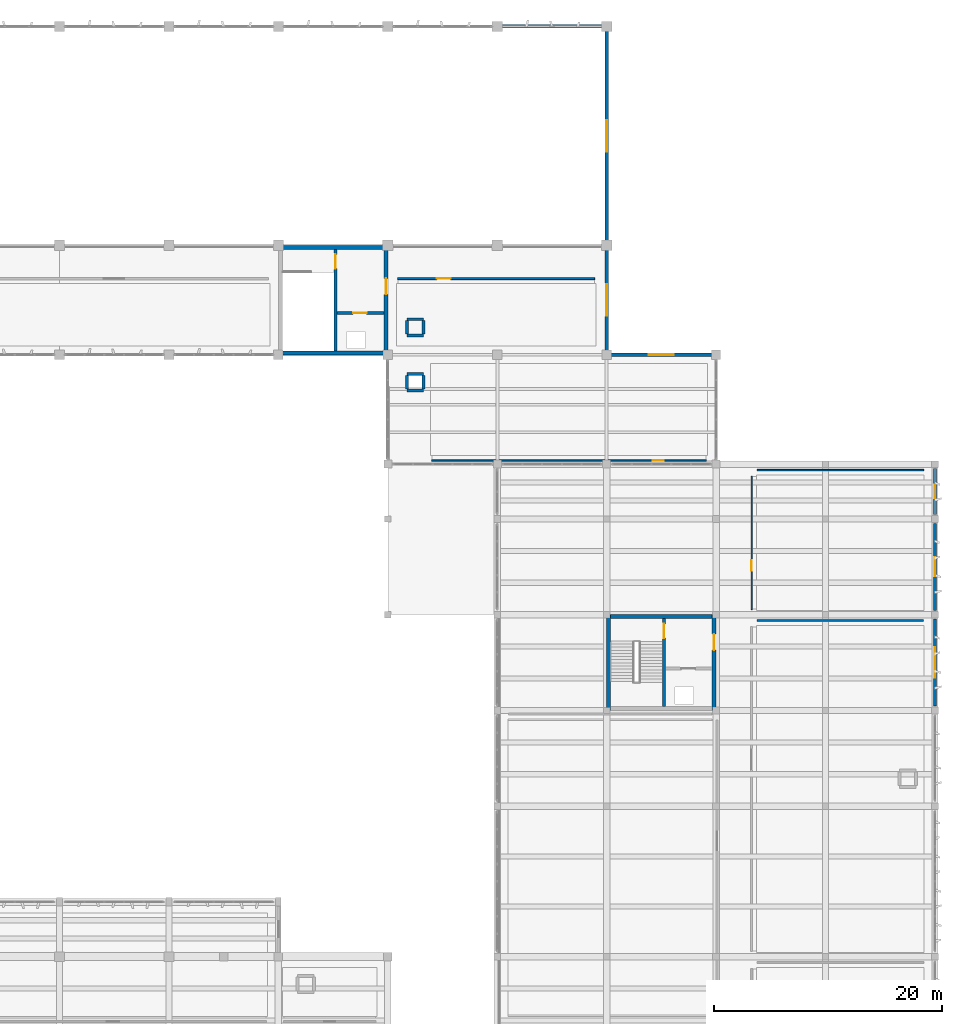
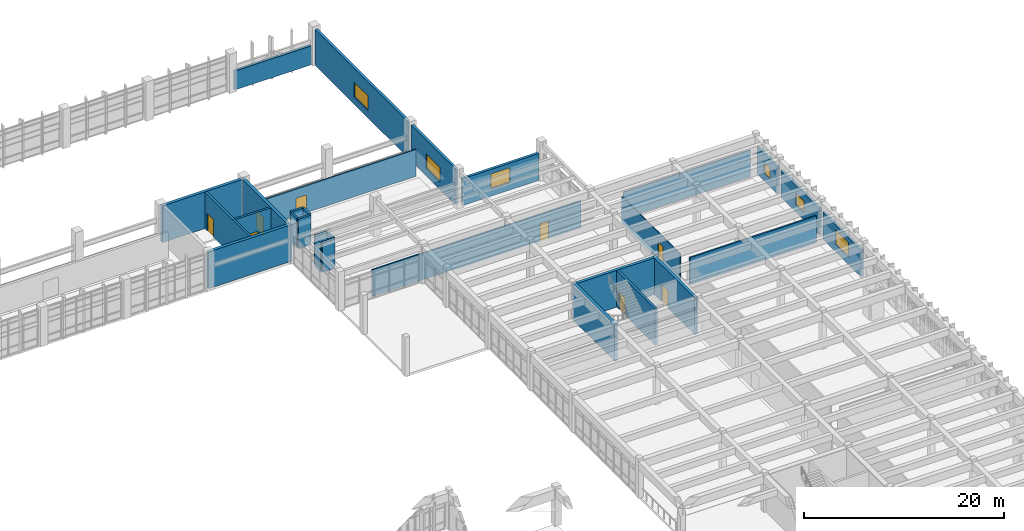
# One storey, part 71 of 86: 29 walls, 8 doors, 6 windows, 14 openings.
"""IFC4 building model written with IfcOpenShell, lengths in metres."""

from ifc_helpers import new_model, si_unit, direction, frame, frame_2d, origin, place, context, subcontext, project, spatial, rectangle, extrude, material, layer, layer_set, type_object, element, fill, save


model = new_model("IFC4")

# Units and contexts
model_context = context("Model", 3, precision=1e-05, world=origin(), true_north=direction((0.0, 1.0)))
body_context = subcontext(model_context, "Body", "Model", "MODEL_VIEW")
ifc_project = project(units=[si_unit("LENGTHUNIT", "METRE"), si_unit("AREAUNIT", "SQUARE_METRE"), si_unit("VOLUMEUNIT", "CUBIC_METRE"), si_unit("PLANEANGLEUNIT", "RADIAN"), si_unit("MASSUNIT", "GRAM", prefix="KILO")], contexts=[model_context])

# Site, building, storey
site_placement = place(None, origin())
site = spatial("IfcSite", under=ifc_project, at=site_placement, CompositionType="ELEMENT")
building_placement = place(site_placement, origin())
building = spatial("IfcBuilding", under=site, at=building_placement, Name="Kolvemor Railside Polytechnic", CompositionType="ELEMENT")
storey_placement = place(building_placement, frame((0.0, 0.0, 5.39990234375)))
storey = spatial("IfcBuildingStorey", under=building, at=storey_placement, Name="L01", CompositionType="ELEMENT", Elevation=5.39990234375)

# Walls
ifc_material_1 = material(Name="Concrete C40/50", Category="concrete")
ifc_layer_1 = layer(ifc_material_1, 0.35009765625, Name="WL-CORE-350")
ifc_layer_set_1 = layer_set([ifc_layer_1], Name="Concrete C40/50")
wall_type_1 = type_object("IfcWallType", Name="WL-CORE-350", PredefinedType="SHEAR", material=ifc_layer_set_1)
wall_1_placement = place(storey_placement, frame((153.60009765625, 68.22509765625, 0.0), z_axis=(0.0, 0.0, 1.0), x_axis=(1.0, 0.0, 0.0)))
element("IfcWall", 1, at=wall_1_placement, inside=storey, type_object=wall_type_1, Name="CORE-7 North Core Wall L01", PredefinedType="SHEAR", context=body_context, shape_type="SweptSolid", body=[
    extrude(rectangle(XDim=9.599853515625, YDim=0.35009765625, at=frame_2d((4.7998046875, 0.0))), origin(), (0.0, 0.0, 1.0), 4.47998046875),
])
wall_2_placement = place(storey_placement, frame((153.77490234375, 60.0, 0.0), z_axis=(0.0, 0.0, 1.0), x_axis=(0.0, 1.0, 0.0)))
element("IfcWall", 2, at=wall_2_placement, inside=storey, type_object=wall_type_1, Name="CORE-7 West Core Wall L01", PredefinedType="SHEAR", context=body_context, shape_type="SweptSolid", body=[
    extrude(rectangle(XDim=8.39990234375, YDim=0.35009765625, at=frame_2d((4.199951171875, 0.0))), origin(), (0.0, 0.0, 1.0), 4.47998046875),
])

# Wall, opening, door
wall_3_placement = place(storey_placement, frame((163.02490234375, 60.0, 0.0), z_axis=(0.0, 0.0, 1.0), x_axis=(0.0, 1.0, 0.0)))
wall_3 = element("IfcWall", 3, at=wall_3_placement, inside=storey, type_object=wall_type_1, Name="CORE-7 East Core Wall L01", PredefinedType="SHEAR", context=body_context, shape_type="SweptSolid", body=[
    extrude(rectangle(XDim=8.39990234375, YDim=0.35009765625, at=frame_2d((4.199951171875, 0.0))), origin(), (0.0, 0.0, 1.0), 4.47998046875),
])
opening_1_placement = place(wall_3_placement, frame((5.300048828125, 0.0, 0.0)))
opening_1 = element("IfcOpeningElement", 4, at=opening_1_placement, cuts=wall_3, Name="Opening D-LOB-7-L01", PredefinedType="OPENING", context=body_context, shape_type="SweptSolid", body=[
    extrude(rectangle(XDim=1.39990234375, YDim=2.14990234375, at=frame_2d((0.699951171875, 1.074951171875))), frame((0.0, 0.18505859375, 0.0), z_axis=(0.0, -1.0, 0.0), x_axis=(1.0, 0.0, 0.0)), (0.0, 0.0, 1.0), 0.3701171875),
])
ifc_material_2 = material(Name="Fire-rated hardwood and brushed stainless-steel door", Category="steel")
door_type_1 = type_object("IfcDoorType", Name="DR-FD60-140x215", OperationType="NOTDEFINED", PredefinedType="DOOR", material=ifc_material_2)
door_1_placement = place(opening_1_placement, origin())
door_1 = element("IfcDoor", 5, at=door_1_placement, inside=storey, type_object=door_type_1, Name="Core Lobby Fire Door CORE-7 L01", OperationType="SINGLE_SWING_LEFT", OverallHeight=2.14990234375, OverallWidth=1.39990234375, PredefinedType="DOOR", context=body_context, shape_type="SweptSolid", body=[
    extrude(rectangle(XDim=1.39990234375, YDim=2.14990234375, at=frame_2d((0.699951171875, 1.074951171875))), frame((0.0, 0.02490234375, 0.0), z_axis=(0.0, -1.0, 0.0), x_axis=(1.0, 0.0, 0.0)), (0.0, 0.0, 1.0), 0.050048828125),
])
fill(opening_1, door_1)

# Walls
for number, where, z_axis, x_axis, name in (
    (6, (124.800048828125, 100.625, 0.0), (0.0, 0.0, 1.0), (1.0, 0.0, 0.0), "CORE-9 North Core Wall L01"),
    (7, (124.800048828125, 91.375, 0.0), (0.0, 0.0, 1.0), (1.0, 0.0, 0.0), "CORE-9 South Core Wall L01"),
):
    element("IfcWall", number, at=place(storey_placement, frame(where, z_axis=z_axis, x_axis=x_axis)), inside=storey, type_object=wall_type_1, Name=name, PredefinedType="SHEAR", context=body_context, shape_type="SweptSolid", body=[
        extrude(rectangle(XDim=9.599853515625, YDim=0.35009765625, at=frame_2d((4.7998046875, 0.0))), origin(), (0.0, 0.0, 1.0), 4.47998046875),
    ])

# Wall, opening, door
wall_4_placement = place(storey_placement, frame((134.22509765625, 91.199951171875, 0.0), z_axis=(0.0, 0.0, 1.0), x_axis=(0.0, 1.0, 0.0)))
wall_4 = element("IfcWall", 8, at=wall_4_placement, inside=storey, type_object=wall_type_1, Name="CORE-9 East Core Wall L01", PredefinedType="SHEAR", context=body_context, shape_type="SweptSolid", body=[
    extrude(rectangle(XDim=9.60009765625, YDim=0.35009765625, at=frame_2d((4.800048828125, 0.0))), origin(), (0.0, 0.0, 1.0), 4.47998046875),
])
opening_2_placement = place(wall_4_placement, frame((5.300048828125, 0.0, 0.0)))
opening_2 = element("IfcOpeningElement", 9, at=opening_2_placement, cuts=wall_4, Name="Opening D-LOB-9-L01", PredefinedType="OPENING", context=body_context, shape_type="SweptSolid", body=[
    extrude(rectangle(XDim=1.39990234375, YDim=2.14990234375, at=frame_2d((0.699951171875, 1.074951171875))), frame((0.0, 0.18505859375, 0.0), z_axis=(0.0, -1.0, 0.0), x_axis=(1.0, 0.0, 0.0)), (0.0, 0.0, 1.0), 0.3701171875),
])
door_2_placement = place(opening_2_placement, origin())
door_2 = element("IfcDoor", 10, at=door_2_placement, inside=storey, type_object=door_type_1, Name="Core Lobby Fire Door CORE-9 L01", OperationType="SINGLE_SWING_LEFT", OverallHeight=2.14990234375, OverallWidth=1.39990234375, PredefinedType="DOOR", context=body_context, shape_type="SweptSolid", body=[
    extrude(rectangle(XDim=1.39990234375, YDim=2.14990234375, at=frame_2d((0.699951171875, 1.074951171875))), frame((0.0, 0.02490234375, 0.0), z_axis=(0.0, -1.0, 0.0), x_axis=(1.0, 0.0, 0.0)), (0.0, 0.0, 1.0), 0.050048828125),
])
fill(opening_2, door_2)

# Wall, opening, window
ifc_material_3 = material(Name="Precast concrete C40/50", Category="concrete")
ifc_layer_2 = layer(ifc_material_3, 0.27001953125, Name="WL-EXT-RC-270")
ifc_layer_set_2 = layer_set([ifc_layer_2], Name="Precast concrete C40/50")
wall_type_2 = type_object("IfcWallType", Name="WL-EXT-RC-270", PredefinedType="SOLIDWALL", material=ifc_layer_set_2)
wall_5_placement = place(storey_placement, frame((182.39990234375, 60.3798828125, 0.0), z_axis=(0.0, 0.0, 1.0), x_axis=(0.0, 1.0, 0.0)))
wall_5 = element("IfcWall", 11, at=wall_5_placement, inside=storey, type_object=wall_type_2, Name="Exterior Wall L01-0072", PredefinedType="SOLIDWALL", context=body_context, shape_type="SweptSolid", body=[
    extrude(rectangle(XDim=7.64013671875, YDim=0.27001953125, at=frame_2d((3.820068359375, 0.0))), origin(), (0.0, 0.0, 1.0), 3.280029296875),
])
opening_3_placement = place(wall_5_placement, frame((2.4951171875, 0.0, 0.89990234375)))
opening_3 = element("IfcOpeningElement", 12, at=opening_3_placement, cuts=wall_5, Name="Opening WN-M14", PredefinedType="OPENING", context=body_context, shape_type="SweptSolid", body=[
    extrude(rectangle(XDim=2.64990234375, YDim=1.75, at=frame_2d((1.324951171875, 0.875))), frame((0.0, 0.14501953125, 0.0), z_axis=(0.0, -1.0, 0.0), x_axis=(1.0, 0.0, 0.0)), (0.0, 0.0, 1.0), 0.2900390625),
])
ifc_material_4 = material(Name="Hurricane-laminated thermally broken aluminium window", Category="aluminium")
window_type_1 = type_object("IfcWindowType", Name="WN-MOD-265x175", PartitioningType="DOUBLE_PANEL_VERTICAL", PredefinedType="WINDOW", material=ifc_material_4)
window_1_placement = place(opening_3_placement, origin())
window_1 = element("IfcWindow", 13, at=window_1_placement, inside=storey, type_object=window_type_1, Name="Window L01-0073", OverallHeight=1.75, OverallWidth=2.64990234375, PartitioningType="SINGLE_PANEL", PredefinedType="WINDOW", context=body_context, shape_type="SweptSolid", body=[
    extrude(rectangle(XDim=2.64990234375, YDim=1.75, at=frame_2d((1.324951171875, 0.875))), frame((0.0, 0.030029296875, 0.0), z_axis=(0.0, -1.0, 0.0), x_axis=(1.0, 0.0, 0.0)), (0.0, 0.0, 1.0), 0.06005859375),
])
fill(opening_3, window_1)

wall_6_placement = place(storey_placement, frame((182.39990234375, 68.780029296875, 0.0), z_axis=(0.0, 0.0, 1.0), x_axis=(0.0, 1.0, 0.0)))
wall_6 = element("IfcWall", 14, at=wall_6_placement, inside=storey, type_object=wall_type_2, Name="Exterior Wall L01-0079", PredefinedType="SOLIDWALL", context=body_context, shape_type="SweptSolid", body=[
    extrude(rectangle(XDim=7.639892578125, YDim=0.27001953125, at=frame_2d((3.81982421875, 0.0))), origin(), (0.0, 0.0, 1.0), 3.280029296875),
])
opening_4_placement = place(wall_6_placement, frame((2.969970703125, 0.0, 0.89990234375)))
opening_4 = element("IfcOpeningElement", 15, at=opening_4_placement, cuts=wall_6, Name="Opening WN-M19", PredefinedType="OPENING", context=body_context, shape_type="SweptSolid", body=[
    extrude(rectangle(XDim=1.699951171875, YDim=1.449951171875, at=frame_2d((0.85009765625, 0.72509765625))), frame((0.0, 0.14501953125, 0.0), z_axis=(0.0, -1.0, 0.0), x_axis=(1.0, 0.0, 0.0)), (0.0, 0.0, 1.0), 0.2900390625),
])
ifc_material_5 = material(Name="Hurricane-laminated thermally broken aluminium window", Category="aluminium")
window_type_2 = type_object("IfcWindowType", Name="WN-MOD-170x145", PartitioningType="SINGLE_PANEL", PredefinedType="WINDOW", material=ifc_material_5)
window_2_placement = place(opening_4_placement, origin())
window_2 = element("IfcWindow", 16, at=window_2_placement, inside=storey, type_object=window_type_2, Name="Window L01-0083", OverallHeight=1.449951171875, OverallWidth=1.699951171875, PartitioningType="SINGLE_PANEL", PredefinedType="WINDOW", context=body_context, shape_type="SweptSolid", body=[
    extrude(rectangle(XDim=1.699951171875, YDim=1.449951171875, at=frame_2d((0.85009765625, 0.72509765625))), frame((0.0, 0.030029296875, 0.0), z_axis=(0.0, -1.0, 0.0), x_axis=(1.0, 0.0, 0.0)), (0.0, 0.0, 1.0), 0.06005859375),
])
fill(opening_4, window_2)

wall_7_placement = place(storey_placement, frame((182.39990234375, 77.179931640625, 0.0), z_axis=(0.0, 0.0, 1.0), x_axis=(0.0, 1.0, 0.0)))
wall_7 = element("IfcWall", 17, at=wall_7_placement, inside=storey, type_object=wall_type_2, Name="Exterior Wall L01-0085", PredefinedType="SOLIDWALL", context=body_context, shape_type="SweptSolid", body=[
    extrude(rectangle(XDim=4.0400390625, YDim=0.27001953125, at=frame_2d((2.02001953125, 0.0))), origin(), (0.0, 0.0, 1.0), 3.280029296875),
])
opening_5_placement = place(wall_7_placement, frame((1.419921875, 0.0, 0.89990234375)))
opening_5 = element("IfcOpeningElement", 18, at=opening_5_placement, cuts=wall_7, Name="Opening WN-ADM2", PredefinedType="OPENING", context=body_context, shape_type="SweptSolid", body=[
    extrude(rectangle(XDim=1.199951171875, YDim=1.39990234375, at=frame_2d((0.60009765625, 0.699951171875))), frame((0.0, 0.14501953125, 0.0), z_axis=(0.0, -1.0, 0.0), x_axis=(1.0, 0.0, 0.0)), (0.0, 0.0, 1.0), 0.2900390625),
])
ifc_material_6 = material(Name="Hurricane-laminated thermally broken aluminium window", Category="aluminium")
window_type_3 = type_object("IfcWindowType", Name="WN-ADM-120x140", PartitioningType="SINGLE_PANEL", PredefinedType="WINDOW", material=ifc_material_6)
window_3_placement = place(opening_5_placement, origin())
window_3 = element("IfcWindow", 19, at=window_3_placement, inside=storey, type_object=window_type_3, Name="Window L01-0089", OverallHeight=1.39990234375, OverallWidth=1.199951171875, PartitioningType="SINGLE_PANEL", PredefinedType="WINDOW", context=body_context, shape_type="SweptSolid", body=[
    extrude(rectangle(XDim=1.199951171875, YDim=1.39990234375, at=frame_2d((0.60009765625, 0.699951171875))), frame((0.0, 0.030029296875, 0.0), z_axis=(0.0, -1.0, 0.0), x_axis=(1.0, 0.0, 0.0)), (0.0, 0.0, 1.0), 0.06005859375),
])
fill(opening_5, window_3)

# Wall
ifc_material_7 = material(Name="Concrete C40/50", Category="concrete")
ifc_layer_3 = layer(ifc_material_7, 0.300048828125, Name="WL-EXT-RC-300")
ifc_layer_set_3 = layer_set([ifc_layer_3], Name="Concrete C40/50")
wall_type_3 = type_object("IfcWallType", Name="WL-EXT-RC-300", PredefinedType="SOLIDWALL", material=ifc_layer_set_3)
wall_8_placement = place(storey_placement, frame((153.219970703125, 120.0, 0.0), z_axis=(0.0, 0.0, 1.0), x_axis=(-1.0, 0.0, 0.0)))
element("IfcWall", 20, at=wall_8_placement, inside=storey, type_object=wall_type_3, Name="Exterior Wall L01-0015", PredefinedType="SOLIDWALL", context=body_context, shape_type="SweptSolid", body=[
    extrude(rectangle(XDim=8.840087890625, YDim=0.300048828125, at=frame_2d((4.419921875, 0.0))), origin(), (0.0, 0.0, 1.0), 2.320068359375),
])

# Wall, opening, window
wall_9_placement = place(storey_placement, frame((153.60009765625, 91.580078125, 0.0), z_axis=(0.0, 0.0, 1.0), x_axis=(0.0, 1.0, 0.0)))
wall_9 = element("IfcWall", 21, at=wall_9_placement, inside=storey, type_object=wall_type_3, Name="Exterior Wall L01-0019", PredefinedType="SOLIDWALL", context=body_context, shape_type="SweptSolid", body=[
    extrude(rectangle(XDim=8.83984375, YDim=0.300048828125, at=frame_2d((4.419921875, 0.0))), origin(), (0.0, 0.0, 1.0), 4.400146484375),
])
opening_6_placement = place(wall_9_placement, frame((3.044921875, 0.0, 0.89990234375)))
opening_6 = element("IfcOpeningElement", 22, at=opening_6_placement, cuts=wall_9, Name="Opening WN-M15", PredefinedType="OPENING", context=body_context, shape_type="SweptSolid", body=[
    extrude(rectangle(XDim=2.75, YDim=1.800048828125, at=frame_2d((1.375, 0.89990234375))), frame((0.0, 0.159912109375, 0.0), z_axis=(0.0, -1.0, 0.0), x_axis=(1.0, 0.0, 0.0)), (0.0, 0.0, 1.0), 0.320068359375),
])
ifc_material_8 = material(Name="Hurricane-laminated thermally broken aluminium window", Category="aluminium")
window_type_4 = type_object("IfcWindowType", Name="WN-MOD-275x180", PartitioningType="DOUBLE_PANEL_VERTICAL", PredefinedType="WINDOW", material=ifc_material_8)
window_4_placement = place(opening_6_placement, origin())
window_4 = element("IfcWindow", 23, at=window_4_placement, inside=storey, type_object=window_type_4, Name="Window L01-0014", OverallHeight=1.800048828125, OverallWidth=2.75, PartitioningType="SINGLE_PANEL", PredefinedType="WINDOW", context=body_context, shape_type="SweptSolid", body=[
    extrude(rectangle(XDim=2.75, YDim=1.800048828125, at=frame_2d((1.375, 0.89990234375))), frame((0.0, 0.030029296875, 0.0), z_axis=(0.0, -1.0, 0.0), x_axis=(1.0, 0.0, 0.0)), (0.0, 0.0, 1.0), 0.06005859375),
])
fill(opening_6, window_4)

wall_10_placement = place(storey_placement, frame((153.60009765625, 101.179931640625, 0.0), z_axis=(0.0, 0.0, 1.0), x_axis=(0.0, 1.0, 0.0)))
wall_10 = element("IfcWall", 24, at=wall_10_placement, inside=storey, type_object=wall_type_3, Name="Exterior Wall L01-0023", PredefinedType="SOLIDWALL", context=body_context, shape_type="SweptSolid", body=[
    extrude(rectangle(XDim=18.440185546875, YDim=0.300048828125, at=frame_2d((9.22021484375, 0.0))), origin(), (0.0, 0.0, 1.0), 4.400146484375),
])
opening_7_placement = place(wall_10_placement, frame((7.844970703125, 0.0, 0.89990234375)))
opening_7 = element("IfcOpeningElement", 25, at=opening_7_placement, cuts=wall_10, Name="Opening WN-M15", PredefinedType="OPENING", context=body_context, shape_type="SweptSolid", body=[
    extrude(rectangle(XDim=2.75, YDim=1.800048828125, at=frame_2d((1.375, 0.89990234375))), frame((0.0, 0.159912109375, 0.0), z_axis=(0.0, -1.0, 0.0), x_axis=(1.0, 0.0, 0.0)), (0.0, 0.0, 1.0), 0.320068359375),
])
window_5_placement = place(opening_7_placement, origin())
window_5 = element("IfcWindow", 26, at=window_5_placement, inside=storey, type_object=window_type_4, Name="Window L01-0018", OverallHeight=1.800048828125, OverallWidth=2.75, PartitioningType="SINGLE_PANEL", PredefinedType="WINDOW", context=body_context, shape_type="SweptSolid", body=[
    extrude(rectangle(XDim=2.75, YDim=1.800048828125, at=frame_2d((1.375, 0.89990234375))), frame((0.0, 0.030029296875, 0.0), z_axis=(0.0, -1.0, 0.0), x_axis=(1.0, 0.0, 0.0)), (0.0, 0.0, 1.0), 0.06005859375),
])
fill(opening_7, window_5)

wall_11_placement = place(storey_placement, frame((153.97998046875, 91.199951171875, 0.0), z_axis=(0.0, 0.0, 1.0), x_axis=(1.0, 0.0, 0.0)))
wall_11 = element("IfcWall", 27, at=wall_11_placement, inside=storey, type_object=wall_type_3, Name="Exterior Wall L01-0024", PredefinedType="SOLIDWALL", context=body_context, shape_type="SweptSolid", body=[
    extrude(rectangle(XDim=8.840087890625, YDim=0.300048828125, at=frame_2d((4.419921875, 0.0))), origin(), (0.0, 0.0, 1.0), 3.280029296875),
])
opening_8_placement = place(wall_11_placement, frame((3.320068359375, 0.0, 0.89990234375)))
opening_8 = element("IfcOpeningElement", 28, at=opening_8_placement, cuts=wall_11, Name="Opening WN-WKS3", PredefinedType="OPENING", context=body_context, shape_type="SweptSolid", body=[
    extrude(rectangle(XDim=2.199951171875, YDim=1.800048828125, at=frame_2d((1.10009765625, 0.89990234375))), frame((0.0, 0.159912109375, 0.0), z_axis=(0.0, -1.0, 0.0), x_axis=(1.0, 0.0, 0.0)), (0.0, 0.0, 1.0), 0.320068359375),
])
ifc_material_9 = material(Name="Hurricane-laminated thermally broken aluminium window", Category="aluminium")
window_type_5 = type_object("IfcWindowType", Name="WN-WKS-220x180", PartitioningType="DOUBLE_PANEL_VERTICAL", PredefinedType="WINDOW", material=ifc_material_9)
window_6_placement = place(opening_8_placement, origin())
window_6 = element("IfcWindow", 29, at=window_6_placement, inside=storey, type_object=window_type_5, Name="Window L01-0019", OverallHeight=1.800048828125, OverallWidth=2.199951171875, PartitioningType="SINGLE_PANEL", PredefinedType="WINDOW", context=body_context, shape_type="SweptSolid", body=[
    extrude(rectangle(XDim=2.199951171875, YDim=1.800048828125, at=frame_2d((1.10009765625, 0.89990234375))), frame((0.0, 0.030029296875, 0.0), z_axis=(0.0, -1.0, 0.0), x_axis=(1.0, 0.0, 0.0)), (0.0, 0.0, 1.0), 0.06005859375),
])
fill(opening_8, window_6)

# Wall, opening, door
ifc_material_10 = material(Name="Wet-area tile-backer partition")
ifc_layer_4 = layer(ifc_material_10, 0.1201171875, Name="WL-PART-120")
ifc_layer_set_4 = layer_set([ifc_layer_4], Name="Wet-area tile-backer partition")
wall_type_4 = type_object("IfcWallType", Name="WL-PART-120", PredefinedType="PARTITIONING", material=ifc_layer_set_4)
wall_12_placement = place(storey_placement, frame((166.320068359375, 68.85009765625, 0.0), z_axis=(0.0, 0.0, 1.0), x_axis=(0.0, 1.0, 0.0)))
wall_12 = element("IfcWall", 30, at=wall_12_placement, inside=storey, type_object=wall_type_4, Name="Partition Wall L01-0127", PredefinedType="PARTITIONING", context=body_context, shape_type="SweptSolid", body=[
    extrude(rectangle(XDim=11.699951171875, YDim=0.1201171875, at=frame_2d((5.85009765625, 0.0))), origin(), (0.0, 0.0, 1.0), 3.260009765625),
])
opening_9_placement = place(wall_12_placement, frame((3.385009765625, 0.0, 0.0)))
opening_9 = element("IfcOpeningElement", 31, at=opening_9_placement, cuts=wall_12, Name="Opening D-01073", PredefinedType="OPENING", context=body_context, shape_type="SweptSolid", body=[
    extrude(rectangle(XDim=0.949951171875, YDim=2.10009765625, at=frame_2d((0.47509765625, 1.050048828125))), frame((0.0, 0.070068359375, 0.0), z_axis=(0.0, -1.0, 0.0), x_axis=(1.0, 0.0, 0.0)), (0.0, 0.0, 1.0), 0.14013671875),
])
ifc_material_11 = material(Name="Solid hardwood acoustic door", Category="wood")
door_type_2 = type_object("IfcDoorType", Name="DR-WC-095x210", OperationType="NOTDEFINED", PredefinedType="DOOR", material=ifc_material_11)
door_3_placement = place(opening_9_placement, origin())
door_3 = element("IfcDoor", 32, at=door_3_placement, inside=storey, type_object=door_type_2, Name="Room Door D-01073 (Union Gallery Public and Accessible WC L01)", OperationType="SINGLE_SWING_RIGHT", OverallHeight=2.10009765625, OverallWidth=0.949951171875, PredefinedType="DOOR", context=body_context, shape_type="SweptSolid", body=[
    extrude(rectangle(XDim=0.949951171875, YDim=2.10009765625, at=frame_2d((0.47509765625, 1.050048828125))), frame((0.0, 0.02490234375, 0.0), z_axis=(0.0, -1.0, 0.0), x_axis=(1.0, 0.0, 0.0)), (0.0, 0.0, 1.0), 0.050048828125),
])
fill(opening_9, door_3)

# Wall
wall_13_placement = place(storey_placement, frame((166.800048828125, 81.080078125, 0.0), z_axis=(0.0, 0.0, 1.0), x_axis=(1.0, 0.0, 0.0)))
element("IfcWall", 33, at=wall_13_placement, inside=storey, type_object=wall_type_4, Name="Demising Partition L01-0128", PredefinedType="PARTITIONING", context=body_context, shape_type="SweptSolid", body=[
    extrude(rectangle(XDim=14.599853515625, YDim=0.1201171875, at=frame_2d((7.2998046875, 0.0))), origin(), (0.0, 0.0, 1.0), 3.260009765625),
])

# Wall, opening, door
ifc_material_12 = material(Name="Departmental partition")
ifc_layer_5 = layer(ifc_material_12, 0.1298828125, Name="WL-PART-130")
ifc_layer_set_5 = layer_set([ifc_layer_5], Name="Departmental partition")
wall_type_5 = type_object("IfcWallType", Name="WL-PART-130", PredefinedType="PARTITIONING", material=ifc_layer_set_5)
wall_14_placement = place(storey_placement, frame((138.25, 81.919921875, 0.0), z_axis=(0.0, 0.0, 1.0), x_axis=(1.0, 0.0, 0.0)))
wall_14 = element("IfcWall", 34, at=wall_14_placement, inside=storey, type_object=wall_type_5, Name="Partition Wall L01-0085", PredefinedType="PARTITIONING", context=body_context, shape_type="SweptSolid", body=[
    extrude(rectangle(XDim=24.10009765625, YDim=0.1298828125, at=frame_2d((12.050048828125, 0.0))), origin(), (0.0, 0.0, 1.0), 3.260009765625),
])
opening_10_placement = place(wall_14_placement, frame((19.3720703125, 0.0, 0.0)))
opening_10 = element("IfcOpeningElement", 35, at=opening_10_placement, cuts=wall_14, Name="Opening D-01049", PredefinedType="OPENING", context=body_context, shape_type="SweptSolid", body=[
    extrude(rectangle(XDim=0.97998046875, YDim=2.10009765625, at=frame_2d((0.489990234375, 1.050048828125))), frame((0.0, 0.074951171875, 0.0), z_axis=(0.0, -1.0, 0.0), x_axis=(1.0, 0.0, 0.0)), (0.0, 0.0, 1.0), 0.14990234375),
])
ifc_material_13 = material(Name="Solid hardwood acoustic door", Category="wood")
door_type_3 = type_object("IfcDoorType", Name="DR-ADM-098x210", OperationType="NOTDEFINED", PredefinedType="DOOR", material=ifc_material_13)
door_4_placement = place(opening_10_placement, origin())
door_4 = element("IfcDoor", 36, at=door_4_placement, inside=storey, type_object=door_type_3, Name="Room Door D-01049 (Workshop Safety and Technician Suite)", OperationType="SINGLE_SWING_RIGHT", OverallHeight=2.10009765625, OverallWidth=0.97998046875, PredefinedType="DOOR", context=body_context, shape_type="SweptSolid", body=[
    extrude(rectangle(XDim=0.97998046875, YDim=2.10009765625, at=frame_2d((0.489990234375, 1.050048828125))), frame((0.0, 0.02490234375, 0.0), z_axis=(0.0, -1.0, 0.0), x_axis=(1.0, 0.0, 0.0)), (0.0, 0.0, 1.0), 0.050048828125),
])
fill(opening_10, door_4)

ifc_material_14 = material(Name="Fire-rated laboratory corridor partition")
ifc_layer_6 = layer(ifc_material_14, 0.1650390625, Name="WL-PART-165")
ifc_layer_set_6 = layer_set([ifc_layer_6], Name="Fire-rated laboratory corridor partition")
wall_type_6 = type_object("IfcWallType", Name="WL-PART-165", PredefinedType="PARTITIONING", material=ifc_layer_set_6)
wall_15_placement = place(storey_placement, frame((135.25, 97.8798828125, 0.0), z_axis=(0.0, 0.0, 1.0), x_axis=(1.0, 0.0, 0.0)))
wall_15 = element("IfcWall", 37, at=wall_15_placement, inside=storey, type_object=wall_type_6, Name="Partition Wall L01-0082", PredefinedType="PARTITIONING", context=body_context, shape_type="SweptSolid", body=[
    extrude(rectangle(XDim=17.300048828125, YDim=0.1650390625, at=frame_2d((8.64990234375, 0.0))), origin(), (0.0, 0.0, 1.0), 3.260009765625),
])
opening_11_placement = place(wall_15_placement, frame((3.4560546875, 0.0, 0.0)))
opening_11 = element("IfcOpeningElement", 38, at=opening_11_placement, cuts=wall_15, Name="Opening D-01047", PredefinedType="OPENING", context=body_context, shape_type="SweptSolid", body=[
    extrude(rectangle(XDim=1.219970703125, YDim=2.14990234375, at=frame_2d((0.60986328125, 1.074951171875))), frame((0.0, 0.092529296875, 0.0), z_axis=(0.0, -1.0, 0.0), x_axis=(1.0, 0.0, 0.0)), (0.0, 0.0, 1.0), 0.18505859375),
])
ifc_material_15 = material(Name="Fire-rated hardwood and brushed stainless-steel door", Category="steel")
door_type_4 = type_object("IfcDoorType", Name="DR-LAB-122x215", OperationType="NOTDEFINED", PredefinedType="DOOR", material=ifc_material_15)
door_5_placement = place(opening_11_placement, origin())
door_5 = element("IfcDoor", 39, at=door_5_placement, inside=storey, type_object=door_type_4, Name="Room Door D-01047 (Non-Destructive Testing Laboratory)", OperationType="SINGLE_SWING_RIGHT", OverallHeight=2.14990234375, OverallWidth=1.219970703125, PredefinedType="DOOR", context=body_context, shape_type="SweptSolid", body=[
    extrude(rectangle(XDim=1.219970703125, YDim=2.14990234375, at=frame_2d((0.60986328125, 1.074951171875))), frame((0.0, 0.02490234375, 0.0), z_axis=(0.0, -1.0, 0.0), x_axis=(1.0, 0.0, 0.0)), (0.0, 0.0, 1.0), 0.050048828125),
])
fill(opening_11, door_5)

# Wall
ifc_material_16 = material(Name="Fire-rated double-stud acoustic partition")
ifc_layer_7 = layer(ifc_material_16, 0.179931640625, Name="WL-PART-180")
ifc_layer_set_7 = layer_set([ifc_layer_7], Name="Fire-rated double-stud acoustic partition")
wall_type_7 = type_object("IfcWallType", Name="WL-PART-180", PredefinedType="PARTITIONING", material=ifc_layer_set_7)
wall_16_placement = place(storey_placement, frame((166.800048828125, 67.8798828125, 0.0), z_axis=(0.0, 0.0, 1.0), x_axis=(1.0, 0.0, 0.0)))
element("IfcWall", 40, at=wall_16_placement, inside=storey, type_object=wall_type_7, Name="Demising Partition L01-0124", PredefinedType="PARTITIONING", context=body_context, shape_type="SweptSolid", body=[
    extrude(rectangle(XDim=14.599853515625, YDim=0.179931640625, at=frame_2d((7.2998046875, 0.0))), origin(), (0.0, 0.0, 1.0), 3.260009765625),
])

# Wall, opening, door
ifc_material_17 = material(Name="Concrete C40/50", Category="concrete")
ifc_layer_8 = layer(ifc_material_17, 0.25, Name="WL-SHFT-250")
ifc_layer_set_8 = layer_set([ifc_layer_8], Name="Concrete C40/50")
wall_type_8 = type_object("IfcWallType", Name="WL-SHFT-250", PredefinedType="SHEAR", material=ifc_layer_set_8)
wall_17_placement = place(storey_placement, frame((158.625, 68.050048828125, 0.0), z_axis=(0.0, 0.0, 1.0), x_axis=(0.0, -1.0, 0.0)))
wall_17 = element("IfcWall", 41, at=wall_17_placement, inside=storey, type_object=wall_type_8, Name="CORE-7 Stair-Lobby Divider Wall L01", PredefinedType="SHEAR", context=body_context, shape_type="SweptSolid", body=[
    extrude(rectangle(XDim=7.699951171875, YDim=0.25, at=frame_2d((3.85009765625, 0.0))), origin(), (0.0, 0.0, 1.0), 4.47998046875),
])
opening_12_placement = place(wall_17_placement, frame((0.449951171875, 0.0, 0.0)))
opening_12 = element("IfcOpeningElement", 42, at=opening_12_placement, cuts=wall_17, Name="Opening D-ST-7-L01", PredefinedType="OPENING", context=body_context, shape_type="SweptSolid", body=[
    extrude(rectangle(XDim=1.25, YDim=2.14990234375, at=frame_2d((0.625, 1.074951171875))), frame((0.0, 0.135009765625, 0.0), z_axis=(0.0, -1.0, 0.0), x_axis=(1.0, 0.0, 0.0)), (0.0, 0.0, 1.0), 0.27001953125),
])
ifc_material_18 = material(Name="Fire-rated hardwood and brushed stainless-steel door", Category="steel")
door_type_5 = type_object("IfcDoorType", Name="DR-FD90-125x215", OperationType="NOTDEFINED", PredefinedType="DOOR", material=ifc_material_18)
door_6_placement = place(opening_12_placement, origin())
door_6 = element("IfcDoor", 43, at=door_6_placement, inside=storey, type_object=door_type_5, Name="Stair Fire Door ST-7 L01", OperationType="SINGLE_SWING_LEFT", OverallHeight=2.14990234375, OverallWidth=1.25, PredefinedType="DOOR", context=body_context, shape_type="SweptSolid", body=[
    extrude(rectangle(XDim=1.25, YDim=2.14990234375, at=frame_2d((0.625, 1.074951171875))), frame((0.0, 0.02490234375, 0.0), z_axis=(0.0, -1.0, 0.0), x_axis=(1.0, 0.0, 0.0)), (0.0, 0.0, 1.0), 0.050048828125),
])
fill(opening_12, door_6)

wall_18_placement = place(storey_placement, frame((129.824951171875, 100.449951171875, 0.0), z_axis=(0.0, 0.0, 1.0), x_axis=(0.0, -1.0, 0.0)))
wall_18 = element("IfcWall", 44, at=wall_18_placement, inside=storey, type_object=wall_type_8, Name="CORE-9 Stair-Lobby Divider Wall L01", PredefinedType="SHEAR", context=body_context, shape_type="SweptSolid", body=[
    extrude(rectangle(XDim=8.89990234375, YDim=0.25, at=frame_2d((4.449951171875, 0.0))), origin(), (0.0, 0.0, 1.0), 4.47998046875),
])
opening_13_placement = place(wall_18_placement, frame((0.449951171875, 0.0, 0.0)))
opening_13 = element("IfcOpeningElement", 45, at=opening_13_placement, cuts=wall_18, Name="Opening D-ST-9-L01", PredefinedType="OPENING", context=body_context, shape_type="SweptSolid", body=[
    extrude(rectangle(XDim=1.25, YDim=2.14990234375, at=frame_2d((0.625, 1.074951171875))), frame((0.0, 0.135009765625, 0.0), z_axis=(0.0, -1.0, 0.0), x_axis=(1.0, 0.0, 0.0)), (0.0, 0.0, 1.0), 0.27001953125),
])
door_7_placement = place(opening_13_placement, origin())
door_7 = element("IfcDoor", 46, at=door_7_placement, inside=storey, type_object=door_type_5, Name="Stair Fire Door ST-9 L01", OperationType="SINGLE_SWING_RIGHT", OverallHeight=2.14990234375, OverallWidth=1.25, PredefinedType="DOOR", context=body_context, shape_type="SweptSolid", body=[
    extrude(rectangle(XDim=1.25, YDim=2.14990234375, at=frame_2d((0.625, 1.074951171875))), frame((0.0, 0.02490234375, 0.0), z_axis=(0.0, -1.0, 0.0), x_axis=(1.0, 0.0, 0.0)), (0.0, 0.0, 1.0), 0.050048828125),
])
fill(opening_13, door_7)

wall_19_placement = place(storey_placement, frame((129.949951171875, 94.875, 0.0), z_axis=(0.0, 0.0, 1.0), x_axis=(1.0, 0.0, 0.0)))
wall_19 = element("IfcWall", 47, at=wall_19_placement, inside=storey, type_object=wall_type_8, Name="CORE-9 Lift Shaft Front Wall L01", PredefinedType="SHEAR", context=body_context, shape_type="SweptSolid", body=[
    extrude(rectangle(XDim=4.10009765625, YDim=0.25, at=frame_2d((2.050048828125, 0.0))), origin(), (0.0, 0.0, 1.0), 4.47998046875),
])
opening_14_placement = place(wall_19_placement, frame((1.39990234375, 0.0, 0.0)))
opening_14 = element("IfcOpeningElement", 48, at=opening_14_placement, cuts=wall_19, Name="Opening D-RSR-9-L01", PredefinedType="OPENING", context=body_context, shape_type="SweptSolid", body=[
    extrude(rectangle(XDim=1.199951171875, YDim=2.14990234375, at=frame_2d((0.60009765625, 1.074951171875))), frame((0.0, 0.135009765625, 0.0), z_axis=(0.0, -1.0, 0.0), x_axis=(1.0, 0.0, 0.0)), (0.0, 0.0, 1.0), 0.27001953125),
])
ifc_material_19 = material(Name="Fire-rated hardwood and brushed stainless-steel door", Category="steel")
door_type_6 = type_object("IfcDoorType", Name="DR-FD60-120x215", OperationType="NOTDEFINED", PredefinedType="DOOR", material=ifc_material_19)
door_8_placement = place(opening_14_placement, origin())
door_8 = element("IfcDoor", 49, at=door_8_placement, inside=storey, type_object=door_type_6, Name="Riser Fire Door CORE-9 L01", OperationType="SINGLE_SWING_RIGHT", OverallHeight=2.14990234375, OverallWidth=1.199951171875, PredefinedType="DOOR", context=body_context, shape_type="SweptSolid", body=[
    extrude(rectangle(XDim=1.199951171875, YDim=2.14990234375, at=frame_2d((0.60009765625, 1.074951171875))), frame((0.0, 0.02490234375, 0.0), z_axis=(0.0, -1.0, 0.0), x_axis=(1.0, 0.0, 0.0)), (0.0, 0.0, 1.0), 0.050048828125),
])
fill(opening_14, door_8)

# Walls
ifc_material_20 = material(Name="Concrete C40/50", Category="concrete")
ifc_layer_9 = layer(ifc_material_20, 0.25, Name="WL-TIER-RC")
ifc_layer_set_9 = layer_set([ifc_layer_9], Name="Concrete C40/50")
wall_type_9 = type_object("IfcWallType", Name="WL-TIER-RC", PredefinedType="SHEAR", material=ifc_layer_set_9)
for number, where, z_axis, x_axis, name in (
    (50, (136.080078125, 92.8798828125, 0.0), (0.0, 0.0, 1.0), (1.0, 0.0, 0.0), "MEP Riser Enclosure Wall L01-42S"),
    (51, (136.080078125, 94.320068359375, 0.0), (0.0, 0.0, 1.0), (1.0, 0.0, 0.0), "MEP Riser Enclosure Wall L01-42N"),
):
    element("IfcWall", number, at=place(storey_placement, frame(where, z_axis=z_axis, x_axis=x_axis)), inside=storey, type_object=wall_type_9, Name=name, PredefinedType="SHEAR", context=body_context, shape_type="SweptSolid", body=[
        extrude(rectangle(XDim=1.43994140625, YDim=0.25, at=frame_2d((0.719970703125, 0.0))), origin(), (0.0, 0.0, 1.0), 3.60009765625),
    ])
for number, where, z_axis, x_axis, name in (
    (52, (136.080078125, 93.0, 0.0), (0.0, 0.0, 1.0), (0.0, 1.0, 0.0), "MEP Riser Enclosure Wall L01-42W"),
    (53, (137.52001953125, 93.0, 0.0), (0.0, 0.0, 1.0), (0.0, 1.0, 0.0), "MEP Riser Enclosure Wall L01-42E"),
):
    element("IfcWall", number, at=place(storey_placement, frame(where, z_axis=z_axis, x_axis=x_axis)), inside=storey, type_object=wall_type_9, Name=name, PredefinedType="SHEAR", context=body_context, shape_type="SweptSolid", body=[
        extrude(rectangle(XDim=1.199951171875, YDim=0.25, at=frame_2d((0.60009765625, 0.0))), origin(), (0.0, 0.0, 1.0), 3.60009765625),
    ])
for number, where, z_axis, x_axis, name in (
    (54, (136.080078125, 88.080078125, 0.0), (0.0, 0.0, 1.0), (1.0, 0.0, 0.0), "MEP Riser Enclosure Wall L01-44S"),
    (55, (136.080078125, 89.52001953125, 0.0), (0.0, 0.0, 1.0), (1.0, 0.0, 0.0), "MEP Riser Enclosure Wall L01-44N"),
):
    element("IfcWall", number, at=place(storey_placement, frame(where, z_axis=z_axis, x_axis=x_axis)), inside=storey, type_object=wall_type_9, Name=name, PredefinedType="SHEAR", context=body_context, shape_type="SweptSolid", body=[
        extrude(rectangle(XDim=1.43994140625, YDim=0.25, at=frame_2d((0.719970703125, 0.0))), origin(), (0.0, 0.0, 1.0), 3.60009765625),
    ])
for number, where, z_axis, x_axis, name in (
    (56, (136.080078125, 88.199951171875, 0.0), (0.0, 0.0, 1.0), (0.0, 1.0, 0.0), "MEP Riser Enclosure Wall L01-44W"),
    (57, (137.52001953125, 88.199951171875, 0.0), (0.0, 0.0, 1.0), (0.0, 1.0, 0.0), "MEP Riser Enclosure Wall L01-44E"),
):
    element("IfcWall", number, at=place(storey_placement, frame(where, z_axis=z_axis, x_axis=x_axis)), inside=storey, type_object=wall_type_9, Name=name, PredefinedType="SHEAR", context=body_context, shape_type="SweptSolid", body=[
        extrude(rectangle(XDim=1.199951171875, YDim=0.25, at=frame_2d((0.60009765625, 0.0))), origin(), (0.0, 0.0, 1.0), 3.60009765625),
    ])

save(model, "model.ifc")
